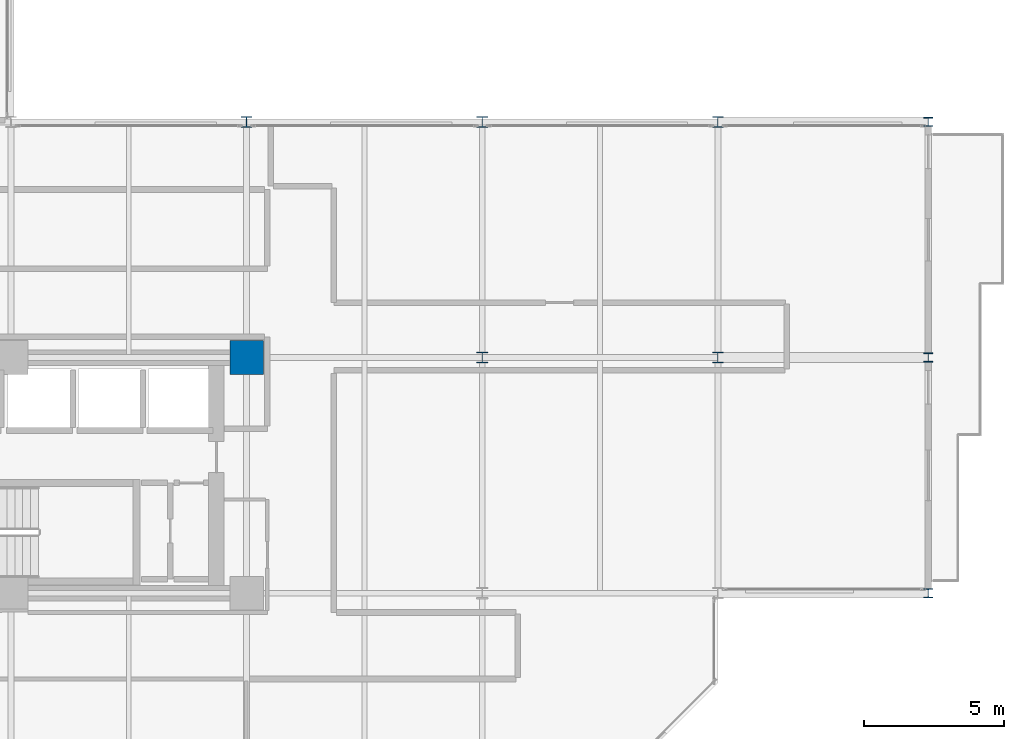
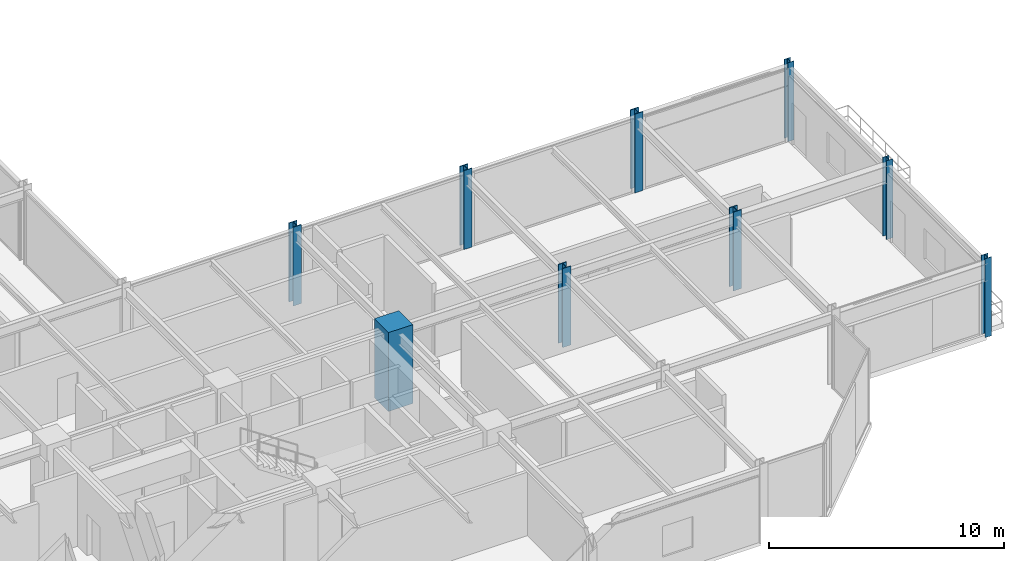
# One storey, part 2 of 38: 9 columns.
"""IFC4 building model written with IfcOpenShell, lengths in metres."""

from ifc_helpers import new_model, si_unit, direction, frame, origin, origin_2d, place, context, subcontext, project, spatial, rectangle, i_section, extrude, material, material_profile, profile_set, type_object, element, save


model = new_model("IFC4")

# Units and contexts
model_context = context("Model", 3, precision=1e-05, world=origin(), true_north=direction((0.0, 1.0)))
body_context = subcontext(model_context, "Body", "Model", "MODEL_VIEW")
ifc_project = project(units=[si_unit("LENGTHUNIT", "METRE"), si_unit("AREAUNIT", "SQUARE_METRE"), si_unit("VOLUMEUNIT", "CUBIC_METRE"), si_unit("PLANEANGLEUNIT", "RADIAN"), si_unit("MASSUNIT", "GRAM", prefix="KILO")], contexts=[model_context])

# Site, building, storey
site_placement = place(None, origin())
site = spatial("IfcSite", under=ifc_project, at=site_placement, CompositionType="ELEMENT")
building_placement = place(site_placement, origin())
building = spatial("IfcBuilding", under=site, at=building_placement, Name="Nerrivon Quay Data Exchange", CompositionType="ELEMENT")
storey_placement = place(building_placement, frame((0.0, 0.0, 96.699951171875)))
storey = spatial("IfcBuildingStorey", under=building, at=storey_placement, Name="L22", CompositionType="ELEMENT", Elevation=96.699951171875)

# Columns
ifc_material_1 = material(Name="Concrete S65 (65 MPa)", Category="concrete")
ifc_material_profile_1 = material_profile(ifc_material_1, rectangle(XDim=1.199951171875, YDim=1.199951171875, at=origin_2d()), Name="RC-COL-1200x1200")
ifc_profile_set_1 = profile_set([ifc_material_profile_1], Name="Concrete S65 (65 MPa)")
column_type_1 = type_object("IfcColumnType", Name="COL-C3-1200", PredefinedType="COLUMN", material=ifc_profile_set_1)
column_placement = place(storey_placement, frame((33.60009765625, 16.800048828125, 0.0), z_axis=(0.0, 0.0, 1.0), x_axis=(1.0, 0.0, 0.0)))
element("IfcColumn", 1, at=column_placement, inside=storey, type_object=column_type_1, Name="L22 Column (33.6,16.8)", PredefinedType="COLUMN", context=body_context, shape_type="SweptSolid", body=[
    extrude(rectangle(XDim=1.199951171875, YDim=1.199951171875, at=origin_2d()), origin(), (0.0, 0.0, 1.0), 4.10009765625),
])
ifc_material_2 = material(Name="Steel Grade 350", Category="steel")
ifc_material_profile_2 = material_profile(ifc_material_2, i_section(OverallWidth=0.39990234375, OverallDepth=0.39990234375, WebThickness=0.02490234375, FlangeThickness=0.0400390625, at=origin_2d()), Name="400WC328")
ifc_profile_set_2 = profile_set([ifc_material_profile_2], Name="Steel Grade 350")
column_type_2 = type_object("IfcColumnType", Name="COL-SC2-400WC", PredefinedType="COLUMN", material=ifc_profile_set_2)
for number, where, z_axis, x_axis, name in (
    (2, (33.60009765625, 25.199951171875, 0.0), (0.0, 0.0, 1.0), (1.0, 0.0, 0.0), "L22 Column (33.6,25.2)"),
    (3, (42.0, 16.800048828125, 0.0), (0.0, 0.0, 1.0), (1.0, 0.0, 0.0), "L22 Column (42.0,16.8)"),
    (4, (42.0, 25.199951171875, 0.0), (0.0, 0.0, 1.0), (1.0, 0.0, 0.0), "L22 Column (42.0,25.2)"),
    (5, (50.39990234375, 16.800048828125, 0.0), (0.0, 0.0, 1.0), (1.0, 0.0, 0.0), "L22 Column (50.4,16.8)"),
    (6, (50.39990234375, 25.199951171875, 0.0), (0.0, 0.0, 1.0), (1.0, 0.0, 0.0), "L22 Column (50.4,25.2)"),
):
    element("IfcColumn", number, at=place(storey_placement, frame(where, z_axis=z_axis, x_axis=x_axis)), inside=storey, type_object=column_type_2, Name=name, PredefinedType="COLUMN", context=body_context, shape_type="SweptSolid", body=[
        extrude(i_section(OverallWidth=0.39990234375, OverallDepth=0.39990234375, WebThickness=0.02490234375, FlangeThickness=0.0400390625, at=origin_2d()), origin(), (0.0, 0.0, 1.0), 4.10009765625),
    ])
ifc_material_profile_3 = material_profile(ifc_material_2, i_section(OverallWidth=0.31103515625, OverallDepth=0.326904296875, WebThickness=0.015625, FlangeThickness=0.02490234375, FilletRadius=0.0166015625, at=origin_2d()), Name="310UC158")
ifc_profile_set_3 = profile_set([ifc_material_profile_3], Name="Steel Grade 350")
column_type_3 = type_object("IfcColumnType", Name="COL-SC4-310UC158", PredefinedType="COLUMN", material=ifc_profile_set_3)
for number, where, z_axis, x_axis, name in (
    (7, (57.89990234375, 8.39990234375, 0.0), (0.0, 0.0, 1.0), (1.0, 0.0, 0.0), "L22 East Hooked Post (57.9,8.4)"),
    (8, (57.89990234375, 16.800048828125, 0.0), (0.0, 0.0, 1.0), (1.0, 0.0, 0.0), "L22 East Hooked Post (57.9,16.8)"),
    (9, (57.89990234375, 25.199951171875, 0.0), (0.0, 0.0, 1.0), (1.0, 0.0, 0.0), "L22 East Hooked Post (57.9,25.2)"),
):
    element("IfcColumn", number, at=place(storey_placement, frame(where, z_axis=z_axis, x_axis=x_axis)), inside=storey, type_object=column_type_3, Name=name, PredefinedType="COLUMN", context=body_context, shape_type="SweptSolid", body=[
        extrude(i_section(OverallWidth=0.31103515625, OverallDepth=0.326904296875, WebThickness=0.015625, FlangeThickness=0.02490234375, FilletRadius=0.0166015625, at=origin_2d()), origin(), (0.0, 0.0, 1.0), 4.10009765625),
    ])

save(model, "model.ifc")
